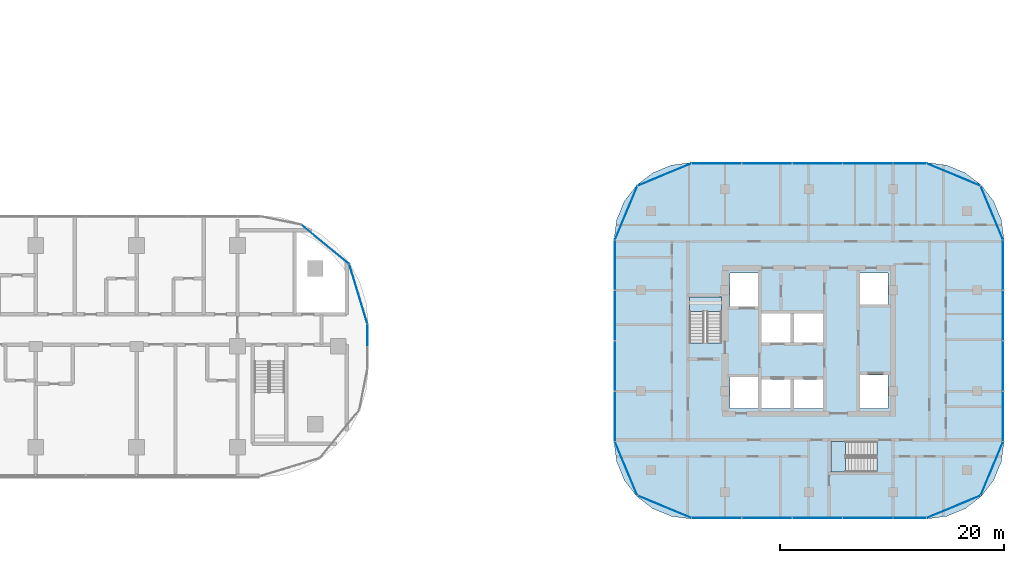
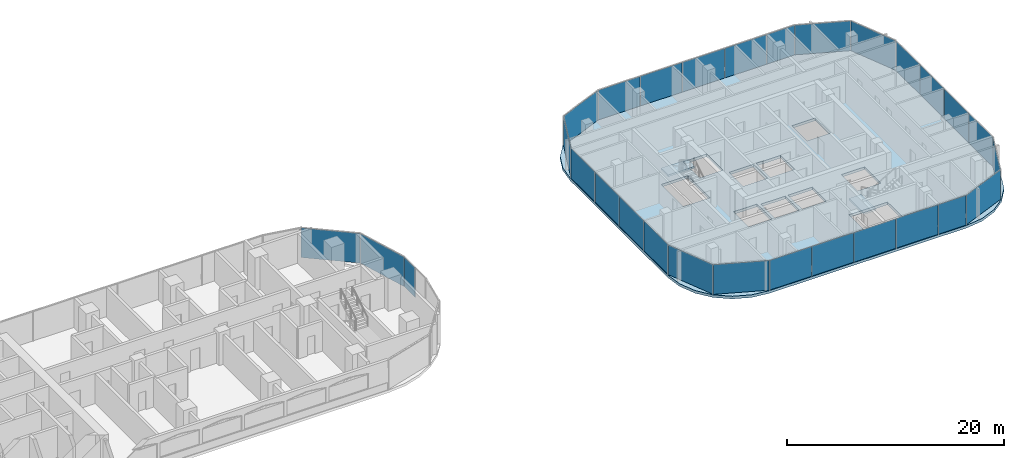
# One storey, part 16 of 34: 29 plates, 3 slabs, 12 elements without a shape of their own.
"""IFC4 building model written with IfcOpenShell, lengths in metres."""

from ifc_helpers import new_model, si_unit, direction, frame, origin, origin_2d, place, context, subcontext, project, spatial, polyline, rectangle, outline, extrude, material, layer, layer_set, type_object, element, aggregate, save


model = new_model("IFC4")

# Units and contexts
model_context = context("Model", 3, precision=1e-05, world=origin(), true_north=direction((0.0, 1.0)))
body_context = subcontext(model_context, "Body", "Model", "MODEL_VIEW")
ifc_project = project(units=[si_unit("LENGTHUNIT", "METRE"), si_unit("AREAUNIT", "SQUARE_METRE"), si_unit("VOLUMEUNIT", "CUBIC_METRE"), si_unit("PLANEANGLEUNIT", "RADIAN"), si_unit("MASSUNIT", "GRAM", prefix="KILO")], contexts=[model_context])

# Site, building, storey
site_placement = place(None, origin())
site = spatial("IfcSite", under=ifc_project, at=site_placement, CompositionType="ELEMENT")
building_placement = place(site_placement, origin())
building = spatial("IfcBuilding", under=site, at=building_placement, Name="Ogive Portal Towers", CompositionType="ELEMENT")
storey_placement = place(building_placement, frame((0.0, 0.0, 66.800048828125)))
storey = spatial("IfcBuildingStorey", under=building, at=storey_placement, Name="L15", CompositionType="ELEMENT", Elevation=66.800048828125)

# Curtain wall, plate
ifc_material_1 = material(Name="Glass, clear low-iron insulated glazing", Category="glass")
curtain_wall_type_1 = type_object("IfcCurtainWallType", Name="CW FRONT RIBBON 4500", PredefinedType="NOTDEFINED", material=ifc_material_1)
curtain_wall_1_placement = place(storey_placement, origin())
curtain_wall_1 = element("IfcCurtainWall", 1, at=curtain_wall_1_placement, inside=storey, type_object=curtain_wall_type_1, Name="A:L15:f12:cw0", PredefinedType="NOTDEFINED")
ifc_layer_1 = layer(ifc_material_1, 0.028076171875)
ifc_layer_set_1 = layer_set([ifc_layer_1], Name="CW PANEL IGU 28")
plate_type = type_object("IfcPlateType", Name="CW PANEL IGU 28", PredefinedType="CURTAIN_PANEL", material=ifc_layer_set_1)
plate_1_placement = place(storey_placement, frame((97.10009765625, 31.494140625, 0.0), z_axis=(0.0, 0.0, 1.0), x_axis=(0.0, 1.0, 0.0)))
plate_1 = element("IfcPlate", 2, at=plate_1_placement, type_object=plate_type, Name="panel", PredefinedType="CURTAIN_PANEL", context=body_context, shape_type="SweptSolid", body=[
    extrude(rectangle(XDim=1.92822265625, YDim=0.028076171875, at=origin_2d()), origin(), (0.0, 0.0, 1.0), 3.340087890625),
])
aggregate(curtain_wall_1, [plate_1])

# Curtain wall, plates
curtain_wall_2_placement = place(storey_placement, origin())
curtain_wall_2 = element("IfcCurtainWall", 3, at=curtain_wall_2_placement, inside=storey, type_object=curtain_wall_type_1, Name="A:L15:f13:cwa", PredefinedType="NOTDEFINED")
plate_2_placement = place(storey_placement, frame((96.28955078125, 35.159912109375, 0.0), z_axis=(0.0, 0.0, 1.0), x_axis=(-0.290284677254, 0.956940335732, 0.0)))
plate_2 = element("IfcPlate", 4, at=plate_2_placement, type_object=plate_type, Name="panel", PredefinedType="CURTAIN_PANEL", context=body_context, shape_type="SweptSolid", body=[
    extrude(rectangle(XDim=5.523681640625, YDim=0.028076171875, at=origin_2d()), origin(), (0.0, 0.0, 1.0), 3.340087890625),
])
plate_3_placement = place(storey_placement, frame((93.32421875, 39.60009765625, 0.0), z_axis=(0.0, 0.0, 1.0), x_axis=(-0.773010453363, 0.634393284164, 0.0)))
plate_3 = element("IfcPlate", 5, at=plate_3_placement, type_object=plate_type, Name="panel", PredefinedType="CURTAIN_PANEL", context=body_context, shape_type="SweptSolid", body=[
    extrude(rectangle(XDim=5.515625, YDim=0.028076171875, at=origin_2d()), origin(), (0.0, 0.0, 1.0), 3.340087890625),
])
aggregate(curtain_wall_2, [plate_2, plate_3])

curtain_wall_type_2 = type_object("IfcCurtainWallType", Name="CW RESIDENCES RIBBON", PredefinedType="NOTDEFINED", material=ifc_material_1)
curtain_wall_3_placement = place(storey_placement, origin())
curtain_wall_3 = element("IfcCurtainWall", 6, at=curtain_wall_3_placement, inside=storey, type_object=curtain_wall_type_2, Name="B:L15:f02:cw0", PredefinedType="NOTDEFINED")
plate_4_placement = place(storey_placement, frame((128.258056640625, 15.179931640625, 0.0), z_axis=(0.0, 0.0, 1.0), x_axis=(1.0, 0.0, 0.0)))
plate_4 = element("IfcPlate", 7, at=plate_4_placement, type_object=plate_type, Name="panel", PredefinedType="CURTAIN_PANEL", context=body_context, shape_type="SweptSolid", body=[
    extrude(rectangle(XDim=4.424072265625, YDim=0.028076171875, at=origin_2d()), origin(), (0.0, 0.0, 1.0), 3.340087890625),
])
plate_5_placement = place(storey_placement, frame((132.75, 15.179931640625, 0.0), z_axis=(0.0, 0.0, 1.0), x_axis=(1.0, 0.0, 0.0)))
plate_5 = element("IfcPlate", 8, at=plate_5_placement, type_object=plate_type, Name="panel", PredefinedType="CURTAIN_PANEL", context=body_context, shape_type="SweptSolid", body=[
    extrude(rectangle(XDim=4.43994140625, YDim=0.028076171875, at=origin_2d()), origin(), (0.0, 0.0, 1.0), 3.340087890625),
])
plate_6_placement = place(storey_placement, frame((137.25, 15.179931640625, 0.0), z_axis=(0.0, 0.0, 1.0), x_axis=(1.0, 0.0, 0.0)))
plate_6 = element("IfcPlate", 9, at=plate_6_placement, type_object=plate_type, Name="panel", PredefinedType="CURTAIN_PANEL", context=body_context, shape_type="SweptSolid", body=[
    extrude(rectangle(XDim=4.43994140625, YDim=0.028076171875, at=origin_2d()), origin(), (0.0, 0.0, 1.0), 3.340087890625),
])
plate_7_placement = place(storey_placement, frame((141.75, 15.179931640625, 0.0), z_axis=(0.0, 0.0, 1.0), x_axis=(1.0, 0.0, 0.0)))
plate_7 = element("IfcPlate", 10, at=plate_7_placement, type_object=plate_type, Name="panel", PredefinedType="CURTAIN_PANEL", context=body_context, shape_type="SweptSolid", body=[
    extrude(rectangle(XDim=4.43994140625, YDim=0.028076171875, at=origin_2d()), origin(), (0.0, 0.0, 1.0), 3.340087890625),
])
plate_8_placement = place(storey_placement, frame((145.491943359375, 15.179931640625, 0.0), z_axis=(0.0, 0.0, 1.0), x_axis=(1.0, 0.0, 0.0)))
plate_8 = element("IfcPlate", 11, at=plate_8_placement, type_object=plate_type, Name="panel", PredefinedType="CURTAIN_PANEL", context=body_context, shape_type="SweptSolid", body=[
    extrude(rectangle(XDim=2.924072265625, YDim=0.028076171875, at=origin_2d()), origin(), (0.0, 0.0, 1.0), 3.340087890625),
])
aggregate(curtain_wall_3, [plate_4, plate_5, plate_6, plate_7, plate_8])

curtain_wall_4_placement = place(storey_placement, origin())
curtain_wall_4 = element("IfcCurtainWall", 12, at=curtain_wall_4_placement, inside=storey, type_object=curtain_wall_type_2, Name="B:L15:f05:cw0", PredefinedType="NOTDEFINED")
plate_9_placement = place(storey_placement, frame((153.820068359375, 24.258056640625, 0.0), z_axis=(0.0, 0.0, 1.0), x_axis=(0.0, 1.0, 0.0)))
plate_9 = element("IfcPlate", 13, at=plate_9_placement, type_object=plate_type, Name="panel", PredefinedType="CURTAIN_PANEL", context=body_context, shape_type="SweptSolid", body=[
    extrude(rectangle(XDim=4.424072265625, YDim=0.028076171875, at=origin_2d()), origin(), (0.0, 0.0, 1.0), 3.340087890625),
])
plate_10_placement = place(storey_placement, frame((153.820068359375, 28.75, 0.0), z_axis=(0.0, 0.0, 1.0), x_axis=(0.0, 1.0, 0.0)))
plate_10 = element("IfcPlate", 14, at=plate_10_placement, type_object=plate_type, Name="panel", PredefinedType="CURTAIN_PANEL", context=body_context, shape_type="SweptSolid", body=[
    extrude(rectangle(XDim=4.43994140625, YDim=0.028076171875, at=origin_2d()), origin(), (0.0, 0.0, 1.0), 3.340087890625),
])
plate_11_placement = place(storey_placement, frame((153.820068359375, 33.25, 0.0), z_axis=(0.0, 0.0, 1.0), x_axis=(0.0, 1.0, 0.0)))
plate_11 = element("IfcPlate", 15, at=plate_11_placement, type_object=plate_type, Name="panel", PredefinedType="CURTAIN_PANEL", context=body_context, shape_type="SweptSolid", body=[
    extrude(rectangle(XDim=4.43994140625, YDim=0.028076171875, at=origin_2d()), origin(), (0.0, 0.0, 1.0), 3.340087890625),
])
plate_12_placement = place(storey_placement, frame((153.820068359375, 37.741943359375, 0.0), z_axis=(0.0, 0.0, 1.0), x_axis=(0.0, 1.0, 0.0)))
plate_12 = element("IfcPlate", 16, at=plate_12_placement, type_object=plate_type, Name="panel", PredefinedType="CURTAIN_PANEL", context=body_context, shape_type="SweptSolid", body=[
    extrude(rectangle(XDim=4.424072265625, YDim=0.028076171875, at=origin_2d()), origin(), (0.0, 0.0, 1.0), 3.340087890625),
])
aggregate(curtain_wall_4, [plate_9, plate_10, plate_11, plate_12])

curtain_wall_5_placement = place(storey_placement, origin())
curtain_wall_5 = element("IfcCurtainWall", 17, at=curtain_wall_5_placement, inside=storey, type_object=curtain_wall_type_2, Name="B:L15:f08:cw0", PredefinedType="NOTDEFINED")
plate_13_placement = place(storey_placement, frame((145.491943359375, 46.820068359375, 0.0), z_axis=(0.0, 0.0, 1.0), x_axis=(-1.0, 0.0, 0.0)))
plate_13 = element("IfcPlate", 18, at=plate_13_placement, type_object=plate_type, Name="panel", PredefinedType="CURTAIN_PANEL", context=body_context, shape_type="SweptSolid", body=[
    extrude(rectangle(XDim=2.924072265625, YDim=0.028076171875, at=origin_2d()), origin(), (0.0, 0.0, 1.0), 3.340087890625),
])
plate_14_placement = place(storey_placement, frame((141.75, 46.820068359375, 0.0), z_axis=(0.0, 0.0, 1.0), x_axis=(-1.0, 0.0, 0.0)))
plate_14 = element("IfcPlate", 19, at=plate_14_placement, type_object=plate_type, Name="panel", PredefinedType="CURTAIN_PANEL", context=body_context, shape_type="SweptSolid", body=[
    extrude(rectangle(XDim=4.43994140625, YDim=0.028076171875, at=origin_2d()), origin(), (0.0, 0.0, 1.0), 3.340087890625),
])
plate_15_placement = place(storey_placement, frame((137.25, 46.820068359375, 0.0), z_axis=(0.0, 0.0, 1.0), x_axis=(-1.0, 0.0, 0.0)))
plate_15 = element("IfcPlate", 20, at=plate_15_placement, type_object=plate_type, Name="panel", PredefinedType="CURTAIN_PANEL", context=body_context, shape_type="SweptSolid", body=[
    extrude(rectangle(XDim=4.43994140625, YDim=0.028076171875, at=origin_2d()), origin(), (0.0, 0.0, 1.0), 3.340087890625),
])
plate_16_placement = place(storey_placement, frame((132.75, 46.820068359375, 0.0), z_axis=(0.0, 0.0, 1.0), x_axis=(-1.0, 0.0, 0.0)))
plate_16 = element("IfcPlate", 21, at=plate_16_placement, type_object=plate_type, Name="panel", PredefinedType="CURTAIN_PANEL", context=body_context, shape_type="SweptSolid", body=[
    extrude(rectangle(XDim=4.43994140625, YDim=0.028076171875, at=origin_2d()), origin(), (0.0, 0.0, 1.0), 3.340087890625),
])
plate_17_placement = place(storey_placement, frame((128.258056640625, 46.820068359375, 0.0), z_axis=(0.0, 0.0, 1.0), x_axis=(-1.0, 0.0, 0.0)))
plate_17 = element("IfcPlate", 22, at=plate_17_placement, type_object=plate_type, Name="panel", PredefinedType="CURTAIN_PANEL", context=body_context, shape_type="SweptSolid", body=[
    extrude(rectangle(XDim=4.424072265625, YDim=0.028076171875, at=origin_2d()), origin(), (0.0, 0.0, 1.0), 3.340087890625),
])
aggregate(curtain_wall_5, [plate_13, plate_14, plate_15, plate_16, plate_17])

curtain_wall_6_placement = place(storey_placement, origin())
curtain_wall_6 = element("IfcCurtainWall", 23, at=curtain_wall_6_placement, inside=storey, type_object=curtain_wall_type_2, Name="B:L15:f11:cw0", PredefinedType="NOTDEFINED")
plate_18_placement = place(storey_placement, frame((119.179931640625, 37.741943359375, 0.0), z_axis=(0.0, 0.0, 1.0), x_axis=(0.0, -1.0, 0.0)))
plate_18 = element("IfcPlate", 24, at=plate_18_placement, type_object=plate_type, Name="panel", PredefinedType="CURTAIN_PANEL", context=body_context, shape_type="SweptSolid", body=[
    extrude(rectangle(XDim=4.424072265625, YDim=0.028076171875, at=origin_2d()), origin(), (0.0, 0.0, 1.0), 3.340087890625),
])
plate_19_placement = place(storey_placement, frame((119.179931640625, 33.25, 0.0), z_axis=(0.0, 0.0, 1.0), x_axis=(0.0, -1.0, 0.0)))
plate_19 = element("IfcPlate", 25, at=plate_19_placement, type_object=plate_type, Name="panel", PredefinedType="CURTAIN_PANEL", context=body_context, shape_type="SweptSolid", body=[
    extrude(rectangle(XDim=4.43994140625, YDim=0.028076171875, at=origin_2d()), origin(), (0.0, 0.0, 1.0), 3.340087890625),
])
plate_20_placement = place(storey_placement, frame((119.179931640625, 28.75, 0.0), z_axis=(0.0, 0.0, 1.0), x_axis=(0.0, -1.0, 0.0)))
plate_20 = element("IfcPlate", 26, at=plate_20_placement, type_object=plate_type, Name="panel", PredefinedType="CURTAIN_PANEL", context=body_context, shape_type="SweptSolid", body=[
    extrude(rectangle(XDim=4.43994140625, YDim=0.028076171875, at=origin_2d()), origin(), (0.0, 0.0, 1.0), 3.340087890625),
])
plate_21_placement = place(storey_placement, frame((119.179931640625, 24.258056640625, 0.0), z_axis=(0.0, 0.0, 1.0), x_axis=(0.0, -1.0, 0.0)))
plate_21 = element("IfcPlate", 27, at=plate_21_placement, type_object=plate_type, Name="panel", PredefinedType="CURTAIN_PANEL", context=body_context, shape_type="SweptSolid", body=[
    extrude(rectangle(XDim=4.424072265625, YDim=0.028076171875, at=origin_2d()), origin(), (0.0, 0.0, 1.0), 3.340087890625),
])
aggregate(curtain_wall_6, [plate_18, plate_19, plate_20, plate_21])

curtain_wall_7_placement = place(storey_placement, origin())
curtain_wall_7 = element("IfcCurtainWall", 28, at=curtain_wall_7_placement, inside=storey, type_object=curtain_wall_type_2, Name="B:L15:f00:cwa", PredefinedType="NOTDEFINED")
plate_22_placement = place(storey_placement, frame((120.18115234375, 19.59912109375, 0.0), z_axis=(0.0, 0.0, 1.0), x_axis=(0.382683432365, -0.923879532511, 0.0)))
plate_22 = element("IfcPlate", 29, at=plate_22_placement, type_object=plate_type, Name="panel", PredefinedType="CURTAIN_PANEL", context=body_context, shape_type="SweptSolid", body=[
    extrude(rectangle(XDim=5.171875, YDim=0.028076171875, at=origin_2d()), origin(), (0.0, 0.0, 1.0), 3.340087890625),
])
plate_23_placement = place(storey_placement, frame((123.59912109375, 16.18115234375, 0.0), z_axis=(0.0, 0.0, 1.0), x_axis=(0.923879532511, -0.382683432365, 0.0)))
plate_23 = element("IfcPlate", 30, at=plate_23_placement, type_object=plate_type, Name="panel", PredefinedType="CURTAIN_PANEL", context=body_context, shape_type="SweptSolid", body=[
    extrude(rectangle(XDim=5.171875, YDim=0.028076171875, at=origin_2d()), origin(), (0.0, 0.0, 1.0), 3.340087890625),
])
aggregate(curtain_wall_7, [plate_22, plate_23])

curtain_wall_8_placement = place(storey_placement, origin())
curtain_wall_8 = element("IfcCurtainWall", 31, at=curtain_wall_8_placement, inside=storey, type_object=curtain_wall_type_2, Name="B:L15:f03:cwa", PredefinedType="NOTDEFINED")
plate_24_placement = place(storey_placement, frame((149.40087890625, 16.18115234375, 0.0), z_axis=(0.0, 0.0, 1.0), x_axis=(0.923879532511, 0.382683432365, 0.0)))
plate_24 = element("IfcPlate", 32, at=plate_24_placement, type_object=plate_type, Name="panel", PredefinedType="CURTAIN_PANEL", context=body_context, shape_type="SweptSolid", body=[
    extrude(rectangle(XDim=5.171875, YDim=0.028076171875, at=origin_2d()), origin(), (0.0, 0.0, 1.0), 3.340087890625),
])
plate_25_placement = place(storey_placement, frame((152.81884765625, 19.59912109375, 0.0), z_axis=(0.0, 0.0, 1.0), x_axis=(0.382683432365, 0.923879532511, 0.0)))
plate_25 = element("IfcPlate", 33, at=plate_25_placement, type_object=plate_type, Name="panel", PredefinedType="CURTAIN_PANEL", context=body_context, shape_type="SweptSolid", body=[
    extrude(rectangle(XDim=5.171875, YDim=0.028076171875, at=origin_2d()), origin(), (0.0, 0.0, 1.0), 3.340087890625),
])
aggregate(curtain_wall_8, [plate_24, plate_25])

curtain_wall_9_placement = place(storey_placement, origin())
curtain_wall_9 = element("IfcCurtainWall", 34, at=curtain_wall_9_placement, inside=storey, type_object=curtain_wall_type_2, Name="B:L15:f06:cwa", PredefinedType="NOTDEFINED")
plate_26_placement = place(storey_placement, frame((152.81884765625, 42.40087890625, 0.0), z_axis=(0.0, 0.0, 1.0), x_axis=(-0.382683432365, 0.923879532511, 0.0)))
plate_26 = element("IfcPlate", 35, at=plate_26_placement, type_object=plate_type, Name="panel", PredefinedType="CURTAIN_PANEL", context=body_context, shape_type="SweptSolid", body=[
    extrude(rectangle(XDim=5.171875, YDim=0.028076171875, at=origin_2d()), origin(), (0.0, 0.0, 1.0), 3.340087890625),
])
plate_27_placement = place(storey_placement, frame((149.40087890625, 45.81884765625, 0.0), z_axis=(0.0, 0.0, 1.0), x_axis=(-0.923879532511, 0.382683432365, 0.0)))
plate_27 = element("IfcPlate", 36, at=plate_27_placement, type_object=plate_type, Name="panel", PredefinedType="CURTAIN_PANEL", context=body_context, shape_type="SweptSolid", body=[
    extrude(rectangle(XDim=5.171875, YDim=0.028076171875, at=origin_2d()), origin(), (0.0, 0.0, 1.0), 3.340087890625),
])
aggregate(curtain_wall_9, [plate_26, plate_27])

curtain_wall_10_placement = place(storey_placement, origin())
curtain_wall_10 = element("IfcCurtainWall", 37, at=curtain_wall_10_placement, inside=storey, type_object=curtain_wall_type_2, Name="B:L15:f09:cwa", PredefinedType="NOTDEFINED")
plate_28_placement = place(storey_placement, frame((123.59912109375, 45.81884765625, 0.0), z_axis=(0.0, 0.0, 1.0), x_axis=(-0.923879532511, -0.382683432365, 0.0)))
plate_28 = element("IfcPlate", 38, at=plate_28_placement, type_object=plate_type, Name="panel", PredefinedType="CURTAIN_PANEL", context=body_context, shape_type="SweptSolid", body=[
    extrude(rectangle(XDim=5.171875, YDim=0.028076171875, at=origin_2d()), origin(), (0.0, 0.0, 1.0), 3.340087890625),
])
plate_29_placement = place(storey_placement, frame((120.18115234375, 42.40087890625, 0.0), z_axis=(0.0, 0.0, 1.0), x_axis=(-0.382683432365, -0.923879532511, 0.0)))
plate_29 = element("IfcPlate", 39, at=plate_29_placement, type_object=plate_type, Name="panel", PredefinedType="CURTAIN_PANEL", context=body_context, shape_type="SweptSolid", body=[
    extrude(rectangle(XDim=5.171875, YDim=0.028076171875, at=origin_2d()), origin(), (0.0, 0.0, 1.0), 3.340087890625),
])
aggregate(curtain_wall_10, [plate_28, plate_29])

# Stair, slab
ifc_material_2 = material(Name="Concrete C40/50", Category="concrete")
stair_type = type_object("IfcStairType", Name="INT-STAIR", PredefinedType="HALF_TURN_STAIR", material=ifc_material_2)
stair_1_placement = place(storey_placement, origin())
stair_1 = element("IfcStair", 40, at=stair_1_placement, inside=storey, type_object=stair_type, Name="L15 Exit Stair ST-B1", PredefinedType="HALF_TURN_STAIR")
ifc_layer_2 = layer(ifc_material_2, 0.199951171875)
ifc_layer_set_2 = layer_set([ifc_layer_2], Name="INT-LANDING")
slab_type_1 = type_object("IfcSlabType", Name="INT-LANDING", PredefinedType="LANDING", material=ifc_layer_set_2)
slab_1_placement = place(storey_placement, frame((0.0, 0.0, 1.64990234375)))
slab_1 = element("IfcSlab", 41, at=slab_1_placement, type_object=slab_type_1, Name="ST-B1 landing 1", PredefinedType="LANDING", context=body_context, shape_type="SweptSolid", body=[
    extrude(outline(polyline([(128.699951171875, 33.60009765625), (128.699951171875, 34.89990234375), (125.85009765625, 34.89990234375), (125.85009765625, 33.60009765625), (128.699951171875, 33.60009765625)])), origin(), (0.0, 0.0, 1.0), 0.199951171875),
])
aggregate(stair_1, [slab_1])

stair_2_placement = place(storey_placement, origin())
stair_2 = element("IfcStair", 42, at=stair_2_placement, inside=storey, type_object=stair_type, Name="L15 Exit Stair ST-B2", PredefinedType="HALF_TURN_STAIR")
slab_2_placement = place(storey_placement, frame((0.0, 0.0, 1.64990234375)))
slab_2 = element("IfcSlab", 43, at=slab_2_placement, type_object=slab_type_1, Name="ST-B2 landing 1", PredefinedType="LANDING", context=body_context, shape_type="SweptSolid", body=[
    extrude(outline(polyline([(139.75, 22.0), (138.449951171875, 22.0), (138.449951171875, 19.300048828125), (139.75, 19.300048828125), (139.75, 22.0)])), origin(), (0.0, 0.0, 1.0), 0.199951171875),
])
aggregate(stair_2, [slab_2])

# Slab
ifc_material_3 = material(Name="Concrete C45/55", Category="concrete")
ifc_layer_3 = layer(ifc_material_3, 0.300048828125)
ifc_layer_set_3 = layer_set([ifc_layer_3], Name="PT FLAT PLATE 300")
slab_type_2 = type_object("IfcSlabType", Name="PT FLAT PLATE 300", PredefinedType="FLOOR", material=ifc_layer_set_3)
slab_3_placement = place(storey_placement, frame((0.0, 0.0, -0.300048828125)))
element("IfcSlab", 44, at=slab_3_placement, inside=storey, type_object=slab_type_2, Name="Floor slab L15", PredefinedType="FLOOR", context=body_context, shape_type="SweptSolid", body=[
    extrude(outline(polyline([(119.10009765625, 40.0), (119.10009765625, 22.0), (119.335205078125, 20.214111328125), (120.0244140625, 18.550048828125), (121.12109375, 17.12109375), (122.550048828125, 16.0244140625), (124.214111328125, 15.335205078125), (126.0, 15.10009765625), (147.0, 15.10009765625), (148.785888671875, 15.335205078125), (150.449951171875, 16.0244140625), (151.87890625, 17.12109375), (152.9755859375, 18.550048828125), (153.664794921875, 20.214111328125), (153.89990234375, 22.0), (153.89990234375, 40.0), (153.664794921875, 41.785888671875), (152.9755859375, 43.449951171875), (151.87890625, 44.87890625), (150.449951171875, 45.9755859375), (148.785888671875, 46.664794921875), (147.0, 46.89990234375), (126.0, 46.89990234375), (124.214111328125, 46.664794921875), (122.550048828125, 45.9755859375), (121.12109375, 44.87890625), (120.0244140625, 43.449951171875), (119.335205078125, 41.785888671875), (119.10009765625, 40.0)]), holes=[polyline([(131.949951171875, 27.75), (131.949951171875, 24.949951171875), (129.449951171875, 24.949951171875), (129.449951171875, 27.75), (131.949951171875, 27.75)]), polyline([(128.697998046875, 34.89794921875), (128.697998046875, 30.802001953125), (125.85205078125, 30.802001953125), (125.85205078125, 34.89794921875), (128.697998046875, 34.89794921875)]), polyline([(131.949951171875, 37.050048828125), (131.949951171875, 34.050048828125), (129.449951171875, 34.050048828125), (129.449951171875, 37.050048828125), (131.949951171875, 37.050048828125)]), polyline([(138.451904296875, 21.998046875), (142.548095703125, 21.998046875), (142.548095703125, 19.302001953125), (138.451904296875, 19.302001953125), (138.451904296875, 21.998046875)]), polyline([(134.85009765625, 27.550048828125), (134.85009765625, 24.949951171875), (132.25, 24.949951171875), (132.25, 27.550048828125), (134.85009765625, 27.550048828125)]), polyline([(137.75, 27.550048828125), (137.75, 24.949951171875), (135.14990234375, 24.949951171875), (135.14990234375, 27.550048828125), (137.75, 27.550048828125)]), polyline([(143.550048828125, 27.949951171875), (143.550048828125, 24.949951171875), (141.050048828125, 24.949951171875), (141.050048828125, 27.949951171875), (143.550048828125, 27.949951171875)]), polyline([(134.85009765625, 33.449951171875), (134.85009765625, 30.85009765625), (132.25, 30.85009765625), (132.25, 33.449951171875), (134.85009765625, 33.449951171875)]), polyline([(137.75, 33.449951171875), (137.75, 30.85009765625), (135.14990234375, 30.85009765625), (135.14990234375, 33.449951171875), (137.75, 33.449951171875)]), polyline([(141.050048828125, 37.050048828125), (143.550048828125, 37.050048828125), (143.550048828125, 34.25), (141.050048828125, 34.25), (141.050048828125, 37.050048828125)])]), origin(), (0.0, 0.0, 1.0), 0.300048828125),
])

save(model, "model.ifc")
